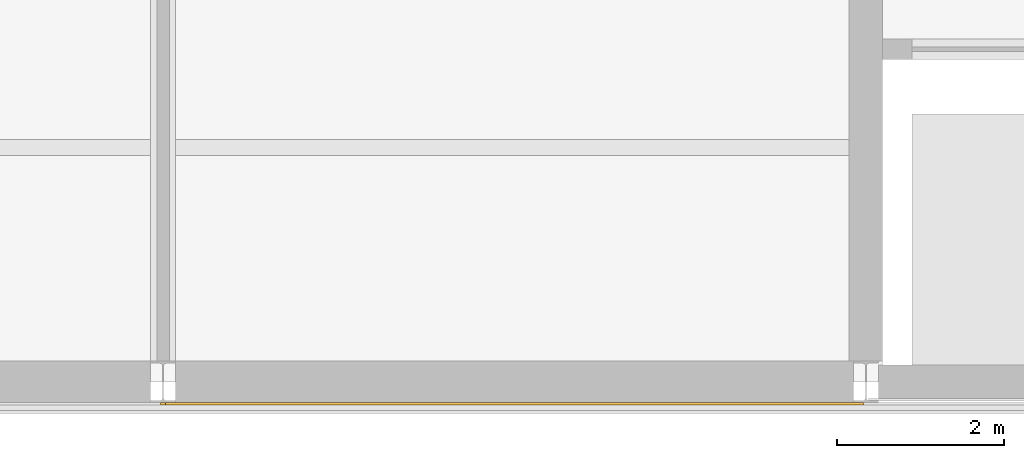
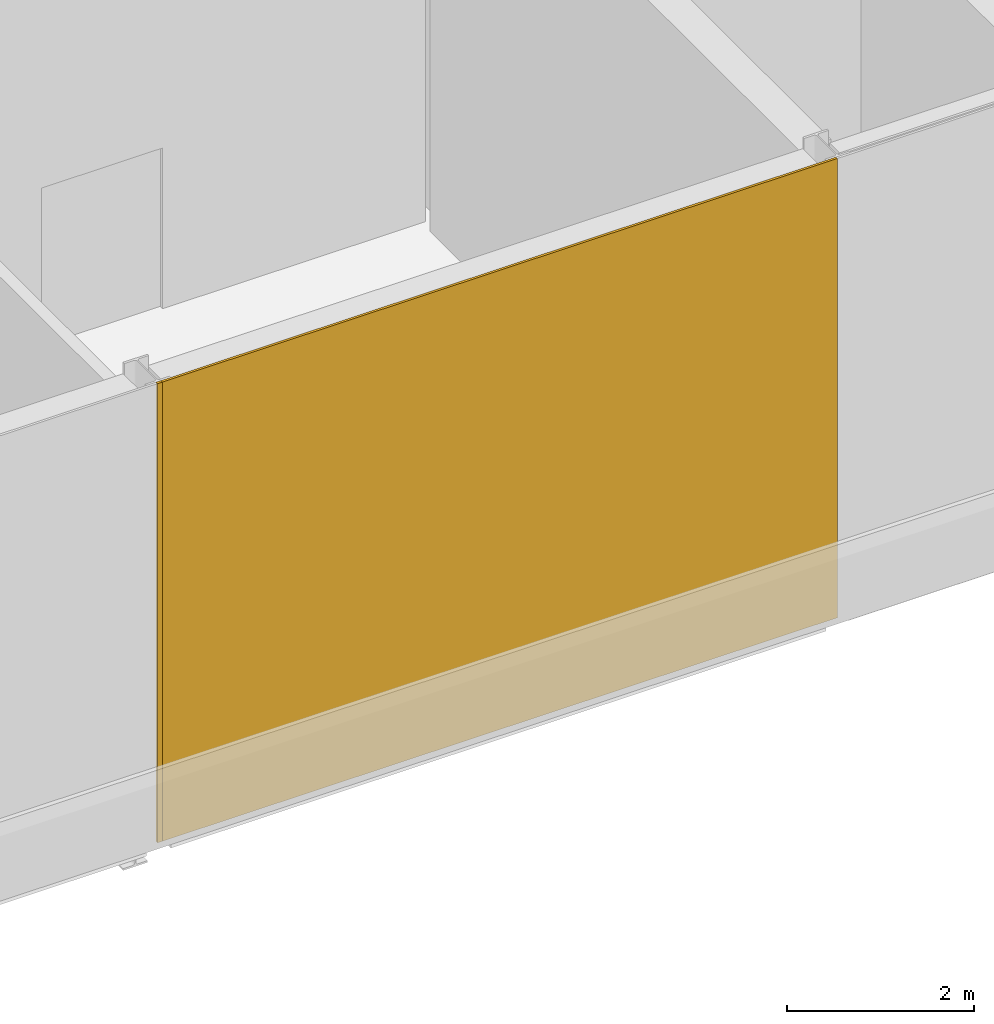
# One storey, part 51 of 55: 2 coverings.
"""IFC4 building model written with IfcOpenShell, lengths in metres."""

from ifc_helpers import new_model, si_unit, direction, frame, origin, origin_2d, place, context, subcontext, project, spatial, rectangle, extrude, material, layer, layer_set, type_object, element, save


model = new_model("IFC4")

# Units and contexts
model_context = context("Model", 3, precision=1e-05, world=origin(), true_north=direction((0.0, 1.0)))
body_context = subcontext(model_context, "Body", "Model", "MODEL_VIEW")
ifc_project = project(units=[si_unit("LENGTHUNIT", "METRE"), si_unit("AREAUNIT", "SQUARE_METRE"), si_unit("VOLUMEUNIT", "CUBIC_METRE"), si_unit("PLANEANGLEUNIT", "RADIAN"), si_unit("MASSUNIT", "GRAM", prefix="KILO")], contexts=[model_context])

# Site, building, storey
site_placement = place(None, origin())
site = spatial("IfcSite", under=ifc_project, at=site_placement, CompositionType="ELEMENT")
building_placement = place(site_placement, origin())
building = spatial("IfcBuilding", under=site, at=building_placement, Name="Galleria Vessillo Department Store", CompositionType="ELEMENT")
storey_placement = place(building_placement, origin())
storey = spatial("IfcBuildingStorey", under=building, at=storey_placement, Name="L00", CompositionType="ELEMENT", Elevation=0.0)

# Coverings
ifc_material = material(Name="Lime plaster (intonaco) ochre")
ifc_layer = layer(ifc_material, 0.030029296875)
ifc_layer_set = layer_set([ifc_layer], Name="Lime plaster (intonaco) ochre")
covering_type = type_object("IfcCoveringType", Name="Lime plaster render 30 mm", PredefinedType="CLADDING", material=ifc_layer_set)
covering_1_placement = place(storey_placement, frame((96.60009765625, -0.264892578125, 0.0), z_axis=(0.0, 0.0, 1.0), x_axis=(1.0, 0.0, 0.0)))
element("IfcCovering", 1, at=covering_1_placement, inside=storey, type_object=covering_type, Name="Wall cladding S-PS-L00-08", PredefinedType="CLADDING", context=body_context, shape_type="SweptSolid", body=[
    extrude(rectangle(XDim=8.34033203125, YDim=0.030029296875, at=origin_2d()), origin(), (0.0, 0.0, 1.0), 6.0),
])
covering_2_placement = place(storey_placement, frame((92.39990234375, -0.264892578125, 0.0), z_axis=(0.0, 0.0, 1.0), x_axis=(1.0, 0.0, 0.0)))
element("IfcCovering", 2, at=covering_2_placement, inside=storey, type_object=covering_type, Name="Joint block Wall cladding S-PS-L00-07", PredefinedType="CLADDING", context=body_context, shape_type="SweptSolid", body=[
    extrude(rectangle(XDim=0.059814453125, YDim=0.030029296875, at=origin_2d()), origin(), (0.0, 0.0, 1.0), 6.0),
])

save(model, "model.ifc")
